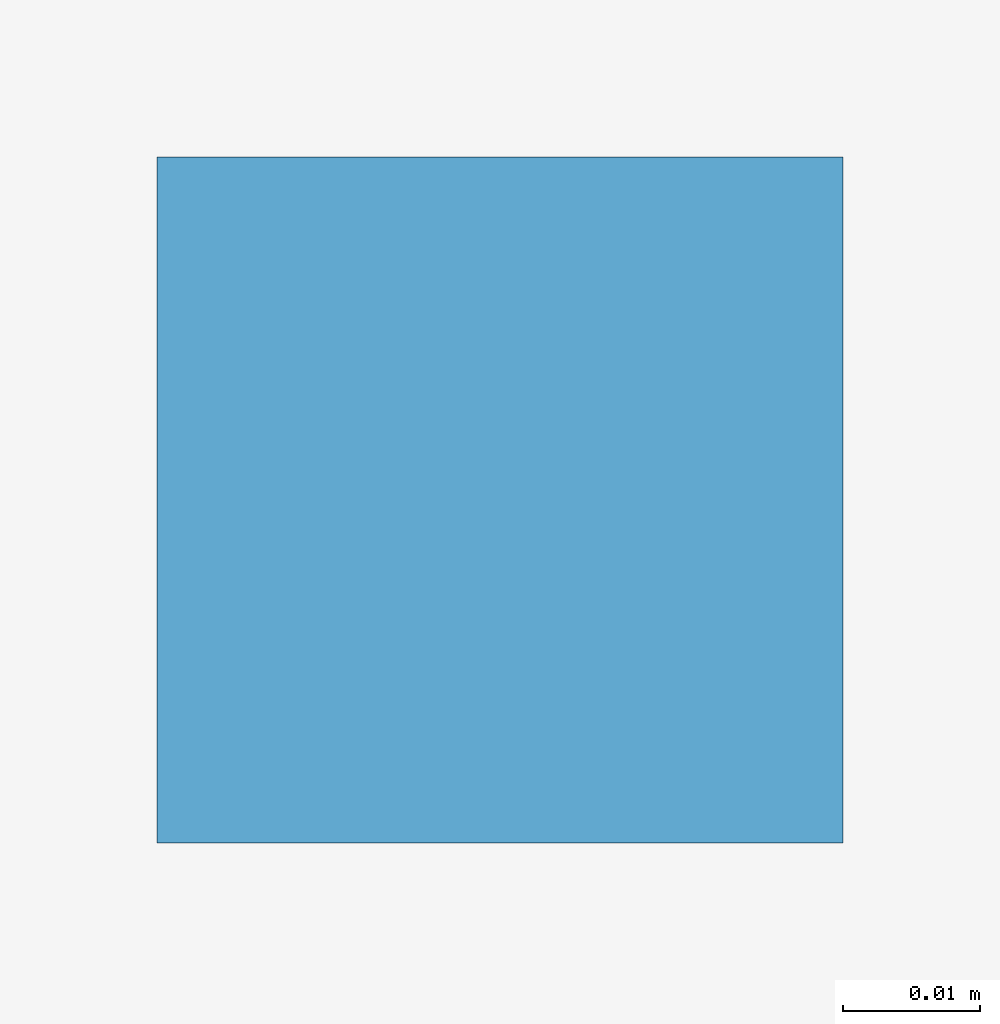
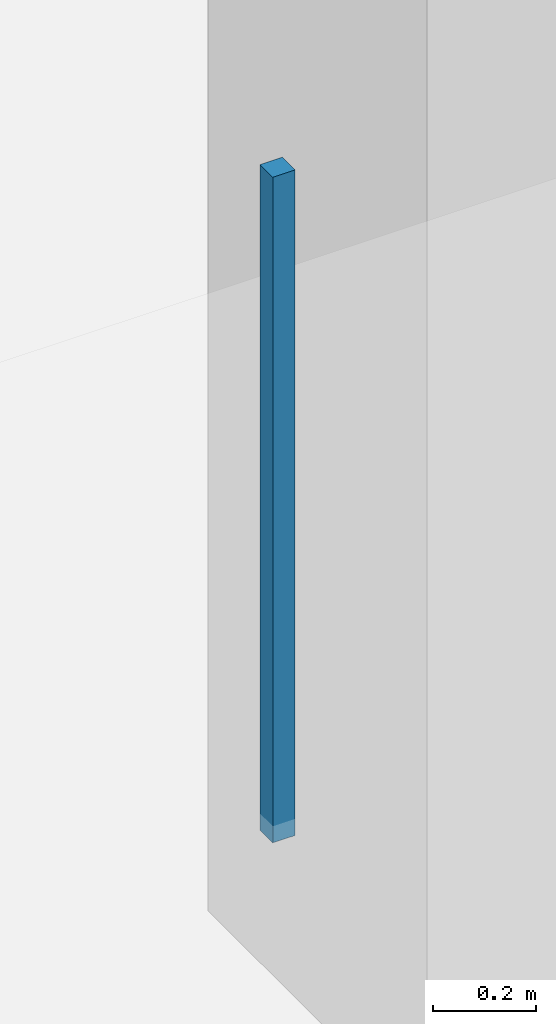
# One storey, part 38 of 54: 1 discrete accessory.
"""IFC4 building model written with IfcOpenShell, lengths in metres."""

import ifcopenshell
import ifcopenshell.guid

model = None  # the IFC model being written
_history = None  # IfcOwnerHistory: only IFC2X3 demands one
_inside = {}  # id of a spatial element -> (the spatial element, [elements in it])
_under = {}  # id of a project, library or spatial element -> (it, [spatial elements below it])
_declared = {}  # id of a project -> (the project, [libraries it declares])
_typed = {}  # id of a type object -> (the type object, [elements of that type])
_made_of = {}  # id of a material, layer set ... -> (it, [elements and type objects made of it])


def new_model(schema):
    """Start an empty IFC model of exactly this schema.

    Asked for "IFC4X3", IfcOpenShell would pick the latest addendum, in which some entities
    have other attributes; the version numbers below select the first issue.
    IFC2X3 requires an IfcOwnerHistory on every rooted entity: one is made here for all.
    """
    global model, _history
    if schema == "IFC4X3":
        model = ifcopenshell.file(schema_version=(4, 3, 0, 0))
    else:
        model = ifcopenshell.file(schema=schema)
    _inside.clear()
    _under.clear()
    _declared.clear()
    _typed.clear()
    _made_of.clear()
    _history = None
    if model.schema == "IFC2X3":
        org = make("IfcOrganization", Name="unknown")
        user = make(
            "IfcPersonAndOrganization",
            ThePerson=make("IfcPerson", FamilyName="unknown"),
            TheOrganization=org,
        )
        app = make(
            "IfcApplication",
            ApplicationDeveloper=org,
            Version="unknown",
            ApplicationFullName="unknown",
            ApplicationIdentifier="unknown",
        )
        _history = make(
            "IfcOwnerHistory",
            OwningUser=user,
            OwningApplication=app,
            ChangeAction="ADDED",
            CreationDate=0,
        )
    return model


def make(cls, **values):
    """One entity of the class cls with the attributes given. An attribute that is None is left unset."""
    return model.create_entity(
        cls, **{name: value for name, value in values.items() if value is not None}
    )


def rooted(cls, **values):
    """An entity with a GlobalId (a new one), such as an element, a storey or a relation."""
    return make(cls, GlobalId=ifcopenshell.guid.new(), OwnerHistory=_history, **values)


def si_unit(unit_type, name, prefix=None):
    """IfcSIUnit, for example si_unit("LENGTHUNIT", "METRE", prefix="MILLI")."""
    return make("IfcSIUnit", UnitType=unit_type, Prefix=prefix, Name=name)


def assignment(units):
    """IfcUnitAssignment: the units of a project."""
    return None if units is None else make("IfcUnitAssignment", Units=units)


def point(xyz):
    """IfcCartesianPoint."""
    return None if xyz is None else make("IfcCartesianPoint", Coordinates=xyz)


def direction(xyz):
    """IfcDirection."""
    return None if xyz is None else make("IfcDirection", DirectionRatios=xyz)


def frame(location, z_axis=None, x_axis=None):
    """IfcAxis2Placement3D, a coordinate frame: its origin and axes. An axis left out is left unset."""
    return make(
        "IfcAxis2Placement3D",
        Location=point(location),
        Axis=direction(z_axis),
        RefDirection=direction(x_axis),
    )


def frame_2d(location, x_axis=None):
    """IfcAxis2Placement2D, a coordinate frame in the plane: its origin and x axis."""
    return make(
        "IfcAxis2Placement2D", Location=point(location), RefDirection=direction(x_axis)
    )


def origin():
    """The frame at (0, 0, 0) with its axes left unset."""
    return frame((0.0, 0.0, 0.0))


def origin_2d():
    """The frame at (0, 0) in the plane with its x axis left unset."""
    return frame_2d((0.0, 0.0))


def place(relative_to, where):
    """IfcLocalPlacement: puts the frame where relative to a parent placement (None: the world)."""
    return make(
        "IfcLocalPlacement", PlacementRelTo=relative_to, RelativePlacement=where
    )


def context(
    kind, dimensions, precision=None, world=None, true_north=None, identifier=None
):
    """IfcGeometricRepresentationContext, for example the 3D "Model" context."""
    return make(
        "IfcGeometricRepresentationContext",
        ContextIdentifier=identifier,
        ContextType=kind,
        CoordinateSpaceDimension=dimensions,
        Precision=precision,
        WorldCoordinateSystem=world,
        TrueNorth=true_north,
    )


def subcontext(parent, identifier, kind, view, scale=None):
    """IfcGeometricRepresentationSubContext, for example "Body" below "Model"."""
    return make(
        "IfcGeometricRepresentationSubContext",
        ContextIdentifier=identifier,
        ContextType=kind,
        ParentContext=parent,
        TargetScale=scale,
        TargetView=view,
    )


def project(units=None, contexts=None):
    """IfcProject with its units and contexts."""
    return rooted(
        "IfcProject",
        Name="project",
        RepresentationContexts=contexts,
        UnitsInContext=assignment(units),
    )


def spatial(cls, under=None, at=None, **own):
    """A site, building, storey or space (cls), placed at a placement, below another one or the project."""
    s = rooted(cls, ObjectPlacement=at, **own)
    if under is not None:
        _under.setdefault(under.id(), (under, []))[1].append(s)
    return s


def profile(cls, at=None, kind="AREA", **sizes):
    """A parametric profile (cls). Its sizes go by their IFC names, for example OverallWidth=200.0."""
    return make(cls, ProfileType=kind, Position=at, **sizes)


def rectangle(**sizes):
    """IfcRectangleProfileDef."""
    return profile("IfcRectangleProfileDef", **sizes)


def extrude(swept, where, along, depth):
    """IfcExtrudedAreaSolid: the profile swept, set in the frame where, extruded along a direction by depth."""
    return make(
        "IfcExtrudedAreaSolid",
        SweptArea=swept,
        Position=where,
        ExtrudedDirection=direction(along),
        Depth=depth,
    )


def shape(context_of_items, identifier, shape_type, items):
    """IfcShapeRepresentation: the items that make up one representation, for example the "Body"."""
    return make(
        "IfcShapeRepresentation",
        ContextOfItems=context_of_items,
        RepresentationIdentifier=identifier,
        RepresentationType=shape_type,
        Items=items,
    )


def material(Name=None, Category=None):
    """IfcMaterial."""
    return make("IfcMaterial", Name=Name, Category=Category)


def made_of(thing, what):
    """Note that an element or type object is made of a material, layer set ...; save() writes the relation."""
    if what is not None:
        _made_of.setdefault(what.id(), (what, []))[1].append(thing)
    return thing


def type_object(cls, material=None, **own):
    """A type object (cls), such as IfcWallType, which elements share."""
    return made_of(rooted(cls, **own), material)


def element(
    cls,
    number,
    at=None,
    inside=None,
    cuts=None,
    type_object=None,
    material=None,
    context=None,
    identifier="Body",
    shape_type=None,
    held_by="IfcProductDefinitionShape",
    body=None,
    shapes=None,
    **own,
):
    """One element of the class cls, such as IfcWall. Its Tag is "e" and its number.

    at: its placement. inside: the storey or other place that contains it. cuts: it is an
    opening in that element (IfcRelVoidsElement). A single representation is given by context,
    identifier, shape_type and body (its items); several are given by shapes. held_by: the class
    of the entity that holds the representations. save() writes the other relations.
    """
    e = rooted(cls, Tag="e%d" % number, ObjectPlacement=at, **own)
    if body is not None:
        shapes = [shape(context, identifier, shape_type, body)]
    if shapes is not None:
        e.Representation = make(held_by, Representations=shapes)
    if inside is not None:
        _inside.setdefault(inside.id(), (inside, []))[1].append(e)
    if cuts is not None:
        rooted(
            "IfcRelVoidsElement", RelatingBuildingElement=cuts, RelatedOpeningElement=e
        )
    if type_object is not None:
        _typed.setdefault(type_object.id(), (type_object, []))[1].append(e)
    return made_of(e, material)


def aggregate(whole, parts):
    """IfcRelAggregates: a whole, such as a stair, and the parts it consists of."""
    return rooted("IfcRelAggregates", RelatingObject=whole, RelatedObjects=parts)


def save(model, path):
    """Write the relations noted so far, then the file.

    IfcRelAggregates (storeys below a building ...), IfcRelContainedInSpatialStructure (elements
    in a storey), IfcRelDefinesByType, IfcRelAssociatesMaterial and IfcRelDeclares: one each for
    every whole, place, type object, material and project.
    """
    for whole, parts in _under.values():
        aggregate(whole, parts)
    for where, things in _inside.values():
        rooted(
            "IfcRelContainedInSpatialStructure",
            RelatedElements=things,
            RelatingStructure=where,
        )
    for kind, things in _typed.values():
        rooted("IfcRelDefinesByType", RelatedObjects=things, RelatingType=kind)
    for what, things in _made_of.values():
        rooted("IfcRelAssociatesMaterial", RelatedObjects=things, RelatingMaterial=what)
    for by, libraries in _declared.values():
        rooted("IfcRelDeclares", RelatingContext=by, RelatedDefinitions=libraries)
    model.write(path)


model = new_model("IFC4")

# Units and contexts
model_context = context("Model", 3, precision=1e-05, world=origin(), true_north=direction((0.0, 1.0)))
body_context = subcontext(model_context, "Body", "Model", "MODEL_VIEW")
ifc_project = project(units=[si_unit("LENGTHUNIT", "METRE"), si_unit("AREAUNIT", "SQUARE_METRE"), si_unit("VOLUMEUNIT", "CUBIC_METRE"), si_unit("PLANEANGLEUNIT", "RADIAN"), si_unit("MASSUNIT", "GRAM", prefix="KILO")], contexts=[model_context])

# Site, building, storey
site_placement = place(None, origin())
site = spatial("IfcSite", under=ifc_project, at=site_placement, CompositionType="ELEMENT")
building_placement = place(site_placement, origin())
building = spatial("IfcBuilding", under=site, at=building_placement, Name="Kazehaya Institute of Natural Sciences", CompositionType="ELEMENT")
storey_placement = place(building_placement, frame((0.0, 0.0, 5.39990234375)))
storey = spatial("IfcBuildingStorey", under=building, at=storey_placement, Name="L01", CompositionType="ELEMENT", Elevation=5.39990234375)

# Discrete accessory
ifc_material = material(Name="Structural steel SN490B", Category="steel")
discrete_accessory_type = type_object("IfcDiscreteAccessoryType", Name="ACC-CLG-HGR", PredefinedType="BRACKET", material=ifc_material)
discrete_accessory_placement = place(storey_placement, frame((16.008544921875, 17.602294921875, 3.3828125), z_axis=(0.0, 0.0, 1.0), x_axis=(1.0, 0.0, 0.0)))
element("IfcDiscreteAccessory", 1, at=discrete_accessory_placement, inside=storey, type_object=discrete_accessory_type, Name="L01 ceiling suspension hanger 18", PredefinedType="BRACKET", context=body_context, shape_type="SweptSolid", body=[
    extrude(rectangle(XDim=0.050048828125, YDim=0.050048828125, at=origin_2d()), origin(), (0.0, 0.0, 1.0), 1.577392578125),
])

save(model, "model.ifc")
